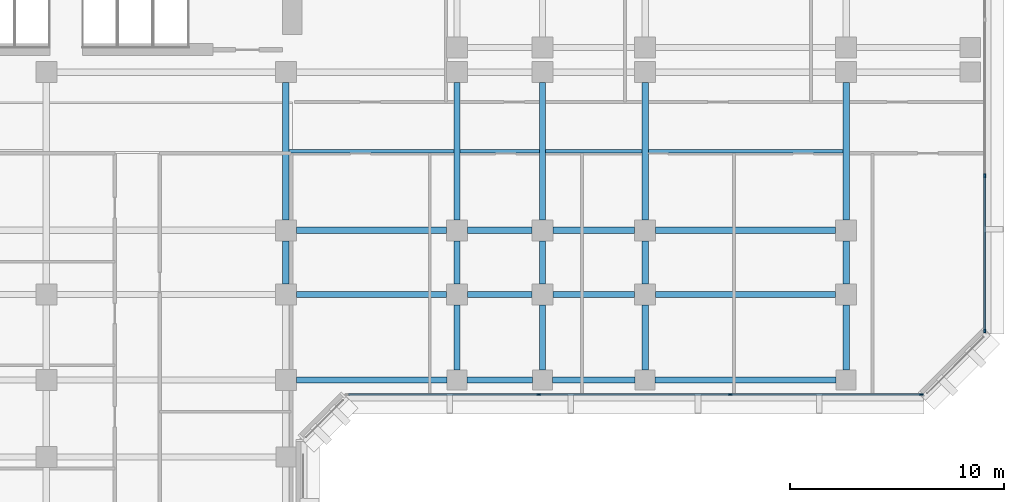
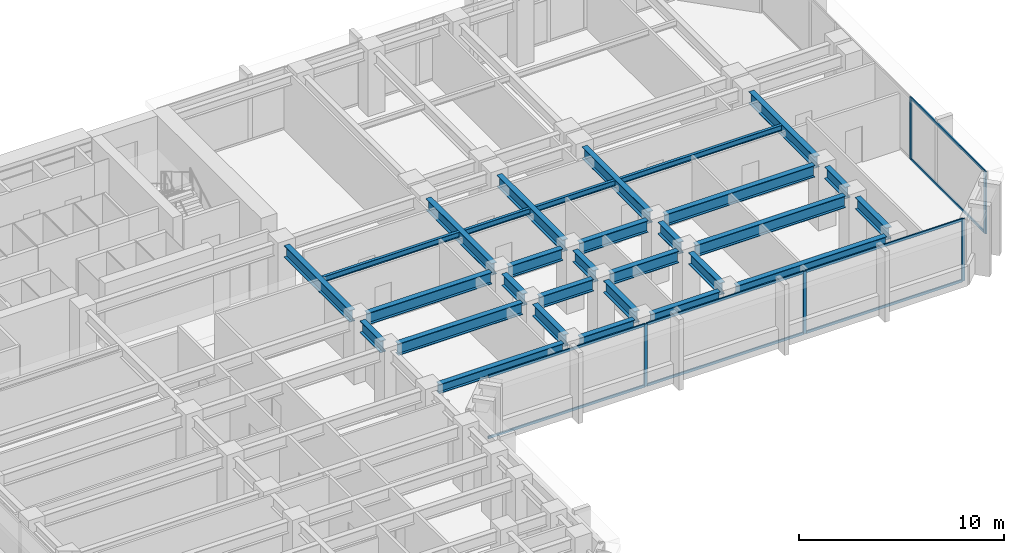
# One storey, part 3 of 14: 30 beams, 13 members, 2 elements without a shape of their own.
"""IFC4 building model written with IfcOpenShell, lengths in metres."""

from ifc_helpers import new_model, si_unit, direction, frame, origin, origin_2d, place, context, subcontext, project, spatial, rectangle, i_section, extrude, material, layer, layer_set, material_profile, profile_set, type_object, element, aggregate, save


model = new_model("IFC4")

# Units and contexts
model_context = context("Model", 3, precision=1e-05, world=origin(), true_north=direction((0.0, 1.0)))
body_context = subcontext(model_context, "Body", "Model", "MODEL_VIEW")
ifc_project = project(units=[si_unit("LENGTHUNIT", "METRE"), si_unit("AREAUNIT", "SQUARE_METRE"), si_unit("VOLUMEUNIT", "CUBIC_METRE"), si_unit("PLANEANGLEUNIT", "RADIAN"), si_unit("MASSUNIT", "GRAM", prefix="KILO")], contexts=[model_context])

# Site, building, storey
site_placement = place(None, origin())
site = spatial("IfcSite", under=ifc_project, at=site_placement, CompositionType="ELEMENT")
building_placement = place(site_placement, origin())
building = spatial("IfcBuilding", under=site, at=building_placement, Name="Kefirva Bronze Tower", CompositionType="ELEMENT")
storey_placement = place(building_placement, frame((0.0, 0.0, 66.0)))
storey = spatial("IfcBuildingStorey", under=building, at=storey_placement, Name="L15", CompositionType="ELEMENT", Elevation=66.0)

# Curtain wall, members
ifc_material_1 = material(Name="Bronze anodised aluminium", Category="aluminium")
ifc_layer = layer(ifc_material_1, 0.199951171875, Name="Bronze anodised aluminium")
ifc_layer_set = layer_set([ifc_layer], Name="Bronze anodised aluminium")
curtain_wall_type = type_object("IfcCurtainWallType", Name="Unitised Bronze Ribbon Curtain Wall Zone 1", PredefinedType="USERDEFINED", material=ifc_layer_set)
curtain_wall_1_placement = place(storey_placement, origin())
curtain_wall_1 = element("IfcCurtainWall", 1, at=curtain_wall_1_placement, inside=storey, type_object=curtain_wall_type, Name="L15 Curtain Wall 1", ObjectType="UNITISED CURTAIN WALL", PredefinedType="USERDEFINED")
ifc_material_profile_1 = material_profile(ifc_material_1, rectangle(XDim=0.074951171875, YDim=0.179931640625, at=origin_2d()), Name="ALU 75x180")
ifc_profile_set_1 = profile_set([ifc_material_profile_1], Name="Bronze anodised aluminium")
member_type_1 = type_object("IfcMemberType", Name="Bronze Mullion 75x180", PredefinedType="MULLION", material=ifc_profile_set_1)
member_1_placement = place(storey_placement, frame((35.018310546875, 18.1201171875, 0.0), z_axis=(0.0, 0.0, 1.0), x_axis=(0.0, 1.0, 0.0)))
member_1 = element("IfcMember", 2, at=member_1_placement, type_object=member_type_1, Name="CW-01 mullion 2", PredefinedType="MULLION", context=body_context, shape_type="SweptSolid", body=[
    extrude(rectangle(XDim=0.074951171875, YDim=0.179931640625, at=origin_2d()), origin(), (0.0, 0.0, 1.0), 3.7099609375),
])
member_2_placement = place(storey_placement, frame((43.981689453125, 18.1201171875, 0.0), z_axis=(0.0, 0.0, 1.0), x_axis=(0.0, 1.0, 0.0)))
member_2 = element("IfcMember", 3, at=member_2_placement, type_object=member_type_1, Name="CW-01 mullion 3", PredefinedType="MULLION", context=body_context, shape_type="SweptSolid", body=[
    extrude(rectangle(XDim=0.074951171875, YDim=0.179931640625, at=origin_2d()), origin(), (0.0, 0.0, 1.0), 3.7099609375),
])
member_3_placement = place(storey_placement, frame((52.907470703125, 18.1201171875, 0.0), z_axis=(0.0, 0.0, 1.0), x_axis=(0.0, 1.0, 0.0)))
member_3 = element("IfcMember", 4, at=member_3_placement, type_object=member_type_1, Name="CW-01 mullion 4", PredefinedType="MULLION", context=body_context, shape_type="SweptSolid", body=[
    extrude(rectangle(XDim=0.074951171875, YDim=0.179931640625, at=origin_2d()), origin(), (0.0, 0.0, 1.0), 3.7099609375),
])

curtain_wall_2_placement = place(storey_placement, origin())
curtain_wall_2 = element("IfcCurtainWall", 5, at=curtain_wall_2_placement, inside=storey, type_object=curtain_wall_type, Name="L15 Curtain Wall 2", ObjectType="UNITISED CURTAIN WALL", PredefinedType="USERDEFINED")
member_4_placement = place(storey_placement, frame((55.8798828125, 21.092529296875, 0.0), z_axis=(0.0, 0.0, 1.0), x_axis=(-1.0, 0.0, 0.0)))
member_4 = element("IfcMember", 6, at=member_4_placement, type_object=member_type_1, Name="CW-01 mullion 1", PredefinedType="MULLION", context=body_context, shape_type="SweptSolid", body=[
    extrude(rectangle(XDim=0.074951171875, YDim=0.179931640625, at=origin_2d()), origin(), (0.0, 0.0, 1.0), 3.7099609375),
])
member_5_placement = place(storey_placement, frame((55.8798828125, 28.3515625, 0.0), z_axis=(0.0, 0.0, 1.0), x_axis=(-1.0, 0.0, 0.0)))
member_5 = element("IfcMember", 7, at=member_5_placement, type_object=member_type_1, Name="CW-01 mullion 2", PredefinedType="MULLION", context=body_context, shape_type="SweptSolid", body=[
    extrude(rectangle(XDim=0.074951171875, YDim=0.179931640625, at=origin_2d()), origin(), (0.0, 0.0, 1.0), 3.7099609375),
])

# Member
ifc_material_profile_2 = material_profile(ifc_material_1, rectangle(XDim=0.074951171875, YDim=0.14990234375, at=origin_2d()), Name="ALU 75x150")
ifc_profile_set_2 = profile_set([ifc_material_profile_2], Name="Bronze anodised aluminium")
member_type_2 = type_object("IfcMemberType", Name="Bronze Transom 75x150", PredefinedType="USERDEFINED", material=ifc_profile_set_2)
member_6_placement = place(storey_placement, frame((26.1298828125, 18.1201171875, 0.03759765625), z_axis=(1.0, 0.0, 0.0), x_axis=(0.0, 1.0, 0.0)))
member_6 = element("IfcMember", 8, at=member_6_placement, type_object=member_type_2, Name="CW-01 transom 1.1", ObjectType="TRANSOM", PredefinedType="USERDEFINED", context=body_context, shape_type="SweptSolid", body=[
    extrude(rectangle(XDim=0.074951171875, YDim=0.14990234375, at=origin_2d()), origin(), (0.0, 0.0, 1.0), 8.850830078125),
])

member_7_placement = place(storey_placement, frame((26.1298828125, 18.1201171875, 3.672607421875), z_axis=(1.0, 0.0, 0.0), x_axis=(0.0, 1.0, 0.0)))
member_7 = element("IfcMember", 9, at=member_7_placement, type_object=member_type_2, Name="CW-01 transom 1.2", ObjectType="TRANSOM", PredefinedType="USERDEFINED", context=body_context, shape_type="SweptSolid", body=[
    extrude(rectangle(XDim=0.074951171875, YDim=0.14990234375, at=origin_2d()), origin(), (0.0, 0.0, 1.0), 8.850830078125),
])

member_8_placement = place(storey_placement, frame((35.055908203125, 18.1201171875, 0.03759765625), z_axis=(1.0, 0.0, 0.0), x_axis=(0.0, 1.0, 0.0)))
member_8 = element("IfcMember", 10, at=member_8_placement, type_object=member_type_2, Name="CW-01 transom 2.1", ObjectType="TRANSOM", PredefinedType="USERDEFINED", context=body_context, shape_type="SweptSolid", body=[
    extrude(rectangle(XDim=0.074951171875, YDim=0.14990234375, at=origin_2d()), origin(), (0.0, 0.0, 1.0), 8.88818359375),
])

member_9_placement = place(storey_placement, frame((35.055908203125, 18.1201171875, 3.672607421875), z_axis=(1.0, 0.0, 0.0), x_axis=(0.0, 1.0, 0.0)))
member_9 = element("IfcMember", 11, at=member_9_placement, type_object=member_type_2, Name="CW-01 transom 2.2", ObjectType="TRANSOM", PredefinedType="USERDEFINED", context=body_context, shape_type="SweptSolid", body=[
    extrude(rectangle(XDim=0.074951171875, YDim=0.14990234375, at=origin_2d()), origin(), (0.0, 0.0, 1.0), 8.88818359375),
])

member_10_placement = place(storey_placement, frame((44.019287109375, 18.1201171875, 0.03759765625), z_axis=(1.0, 0.0, 0.0), x_axis=(0.0, 1.0, 0.0)))
member_10 = element("IfcMember", 12, at=member_10_placement, type_object=member_type_2, Name="CW-01 transom 3.1", ObjectType="TRANSOM", PredefinedType="USERDEFINED", context=body_context, shape_type="SweptSolid", body=[
    extrude(rectangle(XDim=0.074951171875, YDim=0.14990234375, at=origin_2d()), origin(), (0.0, 0.0, 1.0), 8.850830078125),
])

member_11_placement = place(storey_placement, frame((44.019287109375, 18.1201171875, 3.672607421875), z_axis=(1.0, 0.0, 0.0), x_axis=(0.0, 1.0, 0.0)))
member_11 = element("IfcMember", 13, at=member_11_placement, type_object=member_type_2, Name="CW-01 transom 3.2", ObjectType="TRANSOM", PredefinedType="USERDEFINED", context=body_context, shape_type="SweptSolid", body=[
    extrude(rectangle(XDim=0.074951171875, YDim=0.14990234375, at=origin_2d()), origin(), (0.0, 0.0, 1.0), 8.850830078125),
])

aggregate(curtain_wall_1, [member_1, member_2, member_3, member_6, member_7, member_8, member_9, member_10, member_11])

member_12_placement = place(storey_placement, frame((55.8798828125, 21.1298828125, 0.03759765625), z_axis=(0.0, 1.0, 0.0), x_axis=(-1.0, 0.0, 0.0)))
member_12 = element("IfcMember", 14, at=member_12_placement, type_object=member_type_2, Name="CW-01 transom 1.1", ObjectType="TRANSOM", PredefinedType="USERDEFINED", context=body_context, shape_type="SweptSolid", body=[
    extrude(rectangle(XDim=0.074951171875, YDim=0.14990234375, at=origin_2d()), origin(), (0.0, 0.0, 1.0), 7.184326171875),
])

member_13_placement = place(storey_placement, frame((55.8798828125, 21.1298828125, 3.672607421875), z_axis=(0.0, 1.0, 0.0), x_axis=(-1.0, 0.0, 0.0)))
member_13 = element("IfcMember", 15, at=member_13_placement, type_object=member_type_2, Name="CW-01 transom 1.2", ObjectType="TRANSOM", PredefinedType="USERDEFINED", context=body_context, shape_type="SweptSolid", body=[
    extrude(rectangle(XDim=0.074951171875, YDim=0.14990234375, at=origin_2d()), origin(), (0.0, 0.0, 1.0), 7.184326171875),
])

aggregate(curtain_wall_2, [member_4, member_5, member_12, member_13])

# Beams
ifc_material_2 = material(Name="Steel S355", Category="steel")
ifc_material_profile_3 = material_profile(ifc_material_2, i_section(OverallWidth=0.159912109375, OverallDepth=0.330078125, WebThickness=0.007568359375, FlangeThickness=0.011474609375, at=origin_2d()), Name="IPE 330")
ifc_profile_set_3 = profile_set([ifc_material_profile_3], Name="Steel S355")
beam_type_1 = type_object("IfcBeamType", Name="Steel Floor Joist IPE 330", PredefinedType="JOIST", material=ifc_profile_set_3)
beam_1_placement = place(storey_placement, frame((23.35009765625, 29.5, 3.544921875), z_axis=(1.0, 0.0, 0.0), x_axis=(0.0, 1.0, 0.0)))
element("IfcBeam", 16, at=beam_1_placement, inside=storey, type_object=beam_type_1, Name="L15 JST-L15-23-295", PredefinedType="JOIST", context=body_context, shape_type="SweptSolid", body=[
    extrude(i_section(OverallWidth=0.159912109375, OverallDepth=0.330078125, WebThickness=0.007568359375, FlangeThickness=0.011474609375, at=origin_2d()), origin(), (0.0, 0.0, 1.0), 7.699951171875),
])
beam_2_placement = place(storey_placement, frame((31.35009765625, 29.5, 3.544921875), z_axis=(1.0, 0.0, 0.0), x_axis=(0.0, 1.0, 0.0)))
element("IfcBeam", 17, at=beam_2_placement, inside=storey, type_object=beam_type_1, Name="L15 JST-L15-31-295", PredefinedType="JOIST", context=body_context, shape_type="SweptSolid", body=[
    extrude(i_section(OverallWidth=0.159912109375, OverallDepth=0.330078125, WebThickness=0.007568359375, FlangeThickness=0.011474609375, at=origin_2d()), origin(), (0.0, 0.0, 1.0), 3.699951171875),
])
beam_3_placement = place(storey_placement, frame((35.35009765625, 29.5, 3.544921875), z_axis=(1.0, 0.0, 0.0), x_axis=(0.0, 1.0, 0.0)))
element("IfcBeam", 18, at=beam_3_placement, inside=storey, type_object=beam_type_1, Name="L15 JST-L15-35-295", PredefinedType="JOIST", context=body_context, shape_type="SweptSolid", body=[
    extrude(i_section(OverallWidth=0.159912109375, OverallDepth=0.330078125, WebThickness=0.007568359375, FlangeThickness=0.011474609375, at=origin_2d()), origin(), (0.0, 0.0, 1.0), 4.5),
])
beam_4_placement = place(storey_placement, frame((40.14990234375, 29.5, 3.544921875), z_axis=(1.0, 0.0, 0.0), x_axis=(0.0, 1.0, 0.0)))
element("IfcBeam", 19, at=beam_4_placement, inside=storey, type_object=beam_type_1, Name="L15 JST-L15-40-295", PredefinedType="JOIST", context=body_context, shape_type="SweptSolid", body=[
    extrude(i_section(OverallWidth=0.159912109375, OverallDepth=0.330078125, WebThickness=0.007568359375, FlangeThickness=0.011474609375, at=origin_2d()), origin(), (0.0, 0.0, 1.0), 9.10009765625),
])
ifc_material_profile_4 = material_profile(ifc_material_2, i_section(OverallWidth=0.300048828125, OverallDepth=0.699951171875, WebThickness=0.01708984375, FlangeThickness=0.031982421875, at=origin_2d()), Name="HEB 700")
ifc_profile_set_4 = profile_set([ifc_material_profile_4], Name="Steel S355")
beam_type_2 = type_object("IfcBeamType", Name="Steel Girder HEB 700", PredefinedType="USERDEFINED", material=ifc_profile_set_4)
beam_5_placement = place(storey_placement, frame((23.68994140625, 22.800048828125, 3.360107421875), z_axis=(1.0, 0.0, 0.0), x_axis=(0.0, 1.0, 0.0)))
element("IfcBeam", 20, at=beam_5_placement, inside=storey, type_object=beam_type_2, Name="L15 BM-L15-EW-23-228", ObjectType="GIRDER", PredefinedType="USERDEFINED", context=body_context, shape_type="SweptSolid", body=[
    extrude(i_section(OverallWidth=0.300048828125, OverallDepth=0.699951171875, WebThickness=0.01708984375, FlangeThickness=0.031982421875, at=origin_2d()), origin(), (0.0, 0.0, 1.0), 7.02001953125),
])
beam_6_placement = place(storey_placement, frame((31.68994140625, 22.800048828125, 3.360107421875), z_axis=(1.0, 0.0, 0.0), x_axis=(0.0, 1.0, 0.0)))
element("IfcBeam", 21, at=beam_6_placement, inside=storey, type_object=beam_type_2, Name="L15 BM-L15-EW-31-228", ObjectType="GIRDER", PredefinedType="USERDEFINED", context=body_context, shape_type="SweptSolid", body=[
    extrude(i_section(OverallWidth=0.300048828125, OverallDepth=0.699951171875, WebThickness=0.01708984375, FlangeThickness=0.031982421875, at=origin_2d()), origin(), (0.0, 0.0, 1.0), 3.02001953125),
])
beam_7_placement = place(storey_placement, frame((35.68994140625, 22.800048828125, 3.360107421875), z_axis=(1.0, 0.0, 0.0), x_axis=(0.0, 1.0, 0.0)))
element("IfcBeam", 22, at=beam_7_placement, inside=storey, type_object=beam_type_2, Name="L15 BM-L15-EW-35-228", ObjectType="GIRDER", PredefinedType="USERDEFINED", context=body_context, shape_type="SweptSolid", body=[
    extrude(i_section(OverallWidth=0.300048828125, OverallDepth=0.699951171875, WebThickness=0.01708984375, FlangeThickness=0.031982421875, at=origin_2d()), origin(), (0.0, 0.0, 1.0), 3.820068359375),
])
beam_8_placement = place(storey_placement, frame((40.489990234375, 22.800048828125, 3.360107421875), z_axis=(1.0, 0.0, 0.0), x_axis=(0.0, 1.0, 0.0)))
element("IfcBeam", 23, at=beam_8_placement, inside=storey, type_object=beam_type_2, Name="L15 BM-L15-EW-40-228", ObjectType="GIRDER", PredefinedType="USERDEFINED", context=body_context, shape_type="SweptSolid", body=[
    extrude(i_section(OverallWidth=0.300048828125, OverallDepth=0.699951171875, WebThickness=0.01708984375, FlangeThickness=0.031982421875, at=origin_2d()), origin(), (0.0, 0.0, 1.0), 8.419921875),
])
beam_9_placement = place(storey_placement, frame((23.68994140625, 25.800048828125, 3.360107421875), z_axis=(1.0, 0.0, 0.0), x_axis=(0.0, 1.0, 0.0)))
element("IfcBeam", 24, at=beam_9_placement, inside=storey, type_object=beam_type_2, Name="L15 BM-L15-EW-23-258", ObjectType="GIRDER", PredefinedType="USERDEFINED", context=body_context, shape_type="SweptSolid", body=[
    extrude(i_section(OverallWidth=0.300048828125, OverallDepth=0.699951171875, WebThickness=0.01708984375, FlangeThickness=0.031982421875, at=origin_2d()), origin(), (0.0, 0.0, 1.0), 7.02001953125),
])
beam_10_placement = place(storey_placement, frame((31.68994140625, 25.800048828125, 3.360107421875), z_axis=(1.0, 0.0, 0.0), x_axis=(0.0, 1.0, 0.0)))
element("IfcBeam", 25, at=beam_10_placement, inside=storey, type_object=beam_type_2, Name="L15 BM-L15-EW-31-258", ObjectType="GIRDER", PredefinedType="USERDEFINED", context=body_context, shape_type="SweptSolid", body=[
    extrude(i_section(OverallWidth=0.300048828125, OverallDepth=0.699951171875, WebThickness=0.01708984375, FlangeThickness=0.031982421875, at=origin_2d()), origin(), (0.0, 0.0, 1.0), 3.02001953125),
])
beam_11_placement = place(storey_placement, frame((35.68994140625, 25.800048828125, 3.360107421875), z_axis=(1.0, 0.0, 0.0), x_axis=(0.0, 1.0, 0.0)))
element("IfcBeam", 26, at=beam_11_placement, inside=storey, type_object=beam_type_2, Name="L15 BM-L15-EW-35-258", ObjectType="GIRDER", PredefinedType="USERDEFINED", context=body_context, shape_type="SweptSolid", body=[
    extrude(i_section(OverallWidth=0.300048828125, OverallDepth=0.699951171875, WebThickness=0.01708984375, FlangeThickness=0.031982421875, at=origin_2d()), origin(), (0.0, 0.0, 1.0), 3.820068359375),
])
beam_12_placement = place(storey_placement, frame((40.489990234375, 25.800048828125, 3.360107421875), z_axis=(1.0, 0.0, 0.0), x_axis=(0.0, 1.0, 0.0)))
element("IfcBeam", 27, at=beam_12_placement, inside=storey, type_object=beam_type_2, Name="L15 BM-L15-EW-40-258", ObjectType="GIRDER", PredefinedType="USERDEFINED", context=body_context, shape_type="SweptSolid", body=[
    extrude(i_section(OverallWidth=0.300048828125, OverallDepth=0.699951171875, WebThickness=0.01708984375, FlangeThickness=0.031982421875, at=origin_2d()), origin(), (0.0, 0.0, 1.0), 8.419921875),
])
beam_13_placement = place(storey_placement, frame((23.199951171875, 23.2900390625, 3.360107421875), z_axis=(0.0, 1.0, 0.0), x_axis=(-1.0, 0.0, 0.0)))
element("IfcBeam", 28, at=beam_13_placement, inside=storey, type_object=beam_type_2, Name="L15 BM-L15-NS-232-22", ObjectType="GIRDER", PredefinedType="USERDEFINED", context=body_context, shape_type="SweptSolid", body=[
    extrude(i_section(OverallWidth=0.300048828125, OverallDepth=0.699951171875, WebThickness=0.01708984375, FlangeThickness=0.031982421875, at=origin_2d()), origin(), (0.0, 0.0, 1.0), 2.02001953125),
])
beam_14_placement = place(storey_placement, frame((23.199951171875, 26.2900390625, 3.360107421875), z_axis=(0.0, 1.0, 0.0), x_axis=(-1.0, 0.0, 0.0)))
element("IfcBeam", 29, at=beam_14_placement, inside=storey, type_object=beam_type_2, Name="L15 BM-L15-NS-232-25", ObjectType="GIRDER", PredefinedType="USERDEFINED", context=body_context, shape_type="SweptSolid", body=[
    extrude(i_section(OverallWidth=0.300048828125, OverallDepth=0.699951171875, WebThickness=0.01708984375, FlangeThickness=0.031982421875, at=origin_2d()), origin(), (0.0, 0.0, 1.0), 6.419921875),
])
beam_15_placement = place(storey_placement, frame((31.199951171875, 19.27001953125, 3.360107421875), z_axis=(0.0, 1.0, 0.0), x_axis=(-1.0, 0.0, 0.0)))
element("IfcBeam", 30, at=beam_15_placement, inside=storey, type_object=beam_type_2, Name="L15 BM-L15-NS-312-18", ObjectType="GIRDER", PredefinedType="USERDEFINED", context=body_context, shape_type="SweptSolid", body=[
    extrude(i_section(OverallWidth=0.300048828125, OverallDepth=0.699951171875, WebThickness=0.01708984375, FlangeThickness=0.031982421875, at=origin_2d()), origin(), (0.0, 0.0, 1.0), 3.0400390625),
])
beam_16_placement = place(storey_placement, frame((31.199951171875, 23.2900390625, 3.360107421875), z_axis=(0.0, 1.0, 0.0), x_axis=(-1.0, 0.0, 0.0)))
element("IfcBeam", 31, at=beam_16_placement, inside=storey, type_object=beam_type_2, Name="L15 BM-L15-NS-312-22", ObjectType="GIRDER", PredefinedType="USERDEFINED", context=body_context, shape_type="SweptSolid", body=[
    extrude(i_section(OverallWidth=0.300048828125, OverallDepth=0.699951171875, WebThickness=0.01708984375, FlangeThickness=0.031982421875, at=origin_2d()), origin(), (0.0, 0.0, 1.0), 2.02001953125),
])
beam_17_placement = place(storey_placement, frame((31.199951171875, 26.2900390625, 3.360107421875), z_axis=(0.0, 1.0, 0.0), x_axis=(-1.0, 0.0, 0.0)))
element("IfcBeam", 32, at=beam_17_placement, inside=storey, type_object=beam_type_2, Name="L15 BM-L15-NS-312-25", ObjectType="GIRDER", PredefinedType="USERDEFINED", context=body_context, shape_type="SweptSolid", body=[
    extrude(i_section(OverallWidth=0.300048828125, OverallDepth=0.699951171875, WebThickness=0.01708984375, FlangeThickness=0.031982421875, at=origin_2d()), origin(), (0.0, 0.0, 1.0), 6.419921875),
])
beam_18_placement = place(storey_placement, frame((35.199951171875, 19.27001953125, 3.360107421875), z_axis=(0.0, 1.0, 0.0), x_axis=(-1.0, 0.0, 0.0)))
element("IfcBeam", 33, at=beam_18_placement, inside=storey, type_object=beam_type_2, Name="L15 BM-L15-NS-352-18", ObjectType="GIRDER", PredefinedType="USERDEFINED", context=body_context, shape_type="SweptSolid", body=[
    extrude(i_section(OverallWidth=0.300048828125, OverallDepth=0.699951171875, WebThickness=0.01708984375, FlangeThickness=0.031982421875, at=origin_2d()), origin(), (0.0, 0.0, 1.0), 3.0400390625),
])
beam_19_placement = place(storey_placement, frame((35.199951171875, 23.2900390625, 3.360107421875), z_axis=(0.0, 1.0, 0.0), x_axis=(-1.0, 0.0, 0.0)))
element("IfcBeam", 34, at=beam_19_placement, inside=storey, type_object=beam_type_2, Name="L15 BM-L15-NS-352-22", ObjectType="GIRDER", PredefinedType="USERDEFINED", context=body_context, shape_type="SweptSolid", body=[
    extrude(i_section(OverallWidth=0.300048828125, OverallDepth=0.699951171875, WebThickness=0.01708984375, FlangeThickness=0.031982421875, at=origin_2d()), origin(), (0.0, 0.0, 1.0), 2.02001953125),
])
beam_20_placement = place(storey_placement, frame((35.199951171875, 26.2900390625, 3.360107421875), z_axis=(0.0, 1.0, 0.0), x_axis=(-1.0, 0.0, 0.0)))
element("IfcBeam", 35, at=beam_20_placement, inside=storey, type_object=beam_type_2, Name="L15 BM-L15-NS-352-25", ObjectType="GIRDER", PredefinedType="USERDEFINED", context=body_context, shape_type="SweptSolid", body=[
    extrude(i_section(OverallWidth=0.300048828125, OverallDepth=0.699951171875, WebThickness=0.01708984375, FlangeThickness=0.031982421875, at=origin_2d()), origin(), (0.0, 0.0, 1.0), 6.419921875),
])
beam_21_placement = place(storey_placement, frame((40.0, 19.27001953125, 3.360107421875), z_axis=(0.0, 1.0, 0.0), x_axis=(-1.0, 0.0, 0.0)))
element("IfcBeam", 36, at=beam_21_placement, inside=storey, type_object=beam_type_2, Name="L15 BM-L15-NS-400-18", ObjectType="GIRDER", PredefinedType="USERDEFINED", context=body_context, shape_type="SweptSolid", body=[
    extrude(i_section(OverallWidth=0.300048828125, OverallDepth=0.699951171875, WebThickness=0.01708984375, FlangeThickness=0.031982421875, at=origin_2d()), origin(), (0.0, 0.0, 1.0), 3.0400390625),
])
beam_22_placement = place(storey_placement, frame((40.0, 23.2900390625, 3.360107421875), z_axis=(0.0, 1.0, 0.0), x_axis=(-1.0, 0.0, 0.0)))
element("IfcBeam", 37, at=beam_22_placement, inside=storey, type_object=beam_type_2, Name="L15 BM-L15-NS-400-22", ObjectType="GIRDER", PredefinedType="USERDEFINED", context=body_context, shape_type="SweptSolid", body=[
    extrude(i_section(OverallWidth=0.300048828125, OverallDepth=0.699951171875, WebThickness=0.01708984375, FlangeThickness=0.031982421875, at=origin_2d()), origin(), (0.0, 0.0, 1.0), 2.02001953125),
])
beam_23_placement = place(storey_placement, frame((40.0, 26.2900390625, 3.360107421875), z_axis=(0.0, 1.0, 0.0), x_axis=(-1.0, 0.0, 0.0)))
element("IfcBeam", 38, at=beam_23_placement, inside=storey, type_object=beam_type_2, Name="L15 BM-L15-NS-400-25", ObjectType="GIRDER", PredefinedType="USERDEFINED", context=body_context, shape_type="SweptSolid", body=[
    extrude(i_section(OverallWidth=0.300048828125, OverallDepth=0.699951171875, WebThickness=0.01708984375, FlangeThickness=0.031982421875, at=origin_2d()), origin(), (0.0, 0.0, 1.0), 6.419921875),
])
beam_24_placement = place(storey_placement, frame((49.39990234375, 19.27001953125, 3.360107421875), z_axis=(0.0, 1.0, 0.0), x_axis=(-1.0, 0.0, 0.0)))
element("IfcBeam", 39, at=beam_24_placement, inside=storey, type_object=beam_type_2, Name="L15 BM-L15-NS-494-18", ObjectType="GIRDER", PredefinedType="USERDEFINED", context=body_context, shape_type="SweptSolid", body=[
    extrude(i_section(OverallWidth=0.300048828125, OverallDepth=0.699951171875, WebThickness=0.01708984375, FlangeThickness=0.031982421875, at=origin_2d()), origin(), (0.0, 0.0, 1.0), 3.0400390625),
])
beam_25_placement = place(storey_placement, frame((49.39990234375, 23.2900390625, 3.360107421875), z_axis=(0.0, 1.0, 0.0), x_axis=(-1.0, 0.0, 0.0)))
element("IfcBeam", 40, at=beam_25_placement, inside=storey, type_object=beam_type_2, Name="L15 BM-L15-NS-494-22", ObjectType="GIRDER", PredefinedType="USERDEFINED", context=body_context, shape_type="SweptSolid", body=[
    extrude(i_section(OverallWidth=0.300048828125, OverallDepth=0.699951171875, WebThickness=0.01708984375, FlangeThickness=0.031982421875, at=origin_2d()), origin(), (0.0, 0.0, 1.0), 2.02001953125),
])
beam_26_placement = place(storey_placement, frame((49.39990234375, 26.2900390625, 3.360107421875), z_axis=(0.0, 1.0, 0.0), x_axis=(-1.0, 0.0, 0.0)))
element("IfcBeam", 41, at=beam_26_placement, inside=storey, type_object=beam_type_2, Name="L15 BM-L15-NS-494-25", ObjectType="GIRDER", PredefinedType="USERDEFINED", context=body_context, shape_type="SweptSolid", body=[
    extrude(i_section(OverallWidth=0.300048828125, OverallDepth=0.699951171875, WebThickness=0.01708984375, FlangeThickness=0.031982421875, at=origin_2d()), origin(), (0.0, 0.0, 1.0), 6.419921875),
])
ifc_material_profile_5 = material_profile(ifc_material_2, i_section(OverallWidth=0.300048828125, OverallDepth=0.550048828125, WebThickness=0.014892578125, FlangeThickness=0.029052734375, at=origin_2d()), Name="HEB 550")
ifc_profile_set_5 = profile_set([ifc_material_profile_5], Name="Steel S355")
beam_type_3 = type_object("IfcBeamType", Name="Steel Spandrel HEB 550 Ext", PredefinedType="SPANDREL", material=ifc_profile_set_5)
beam_27_placement = place(storey_placement, frame((23.68994140625, 18.800048828125, 3.43505859375), z_axis=(1.0, 0.0, 0.0), x_axis=(0.0, 1.0, 0.0)))
element("IfcBeam", 42, at=beam_27_placement, inside=storey, type_object=beam_type_3, Name="L15 BM-L15-EW-23-188", PredefinedType="SPANDREL", context=body_context, shape_type="SweptSolid", body=[
    extrude(i_section(OverallWidth=0.300048828125, OverallDepth=0.550048828125, WebThickness=0.014892578125, FlangeThickness=0.029052734375, at=origin_2d()), origin(), (0.0, 0.0, 1.0), 7.0400390625),
])
beam_28_placement = place(storey_placement, frame((31.669921875, 18.800048828125, 3.43505859375), z_axis=(1.0, 0.0, 0.0), x_axis=(0.0, 1.0, 0.0)))
element("IfcBeam", 43, at=beam_28_placement, inside=storey, type_object=beam_type_3, Name="L15 BM-L15-EW-31-188", PredefinedType="SPANDREL", context=body_context, shape_type="SweptSolid", body=[
    extrude(i_section(OverallWidth=0.300048828125, OverallDepth=0.550048828125, WebThickness=0.014892578125, FlangeThickness=0.029052734375, at=origin_2d()), origin(), (0.0, 0.0, 1.0), 3.06005859375),
])
beam_29_placement = place(storey_placement, frame((35.669921875, 18.800048828125, 3.43505859375), z_axis=(1.0, 0.0, 0.0), x_axis=(0.0, 1.0, 0.0)))
element("IfcBeam", 44, at=beam_29_placement, inside=storey, type_object=beam_type_3, Name="L15 BM-L15-EW-35-188", PredefinedType="SPANDREL", context=body_context, shape_type="SweptSolid", body=[
    extrude(i_section(OverallWidth=0.300048828125, OverallDepth=0.550048828125, WebThickness=0.014892578125, FlangeThickness=0.029052734375, at=origin_2d()), origin(), (0.0, 0.0, 1.0), 3.860107421875),
])
beam_30_placement = place(storey_placement, frame((40.469970703125, 18.800048828125, 3.43505859375), z_axis=(1.0, 0.0, 0.0), x_axis=(0.0, 1.0, 0.0)))
element("IfcBeam", 45, at=beam_30_placement, inside=storey, type_object=beam_type_3, Name="L15 BM-L15-EW-40-188", PredefinedType="SPANDREL", context=body_context, shape_type="SweptSolid", body=[
    extrude(i_section(OverallWidth=0.300048828125, OverallDepth=0.550048828125, WebThickness=0.014892578125, FlangeThickness=0.029052734375, at=origin_2d()), origin(), (0.0, 0.0, 1.0), 8.4599609375),
])

save(model, "model.ifc")
